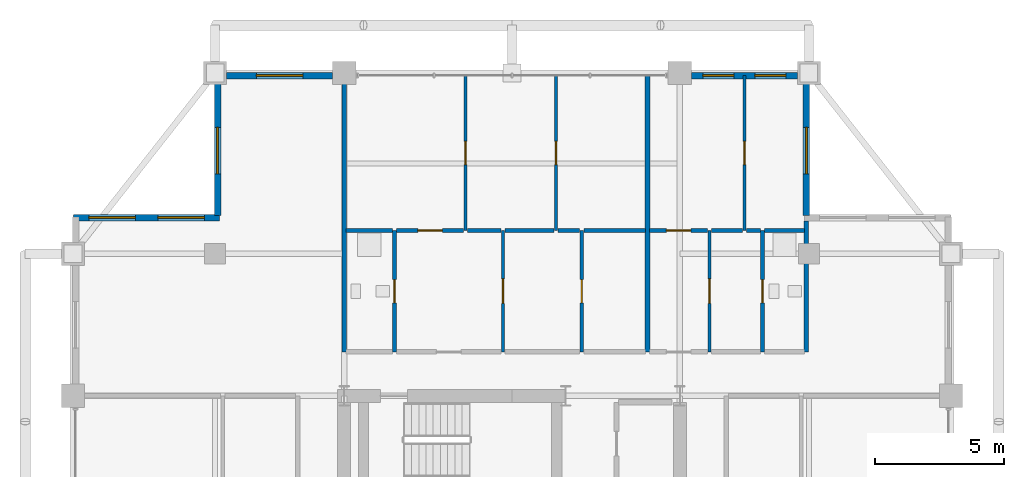
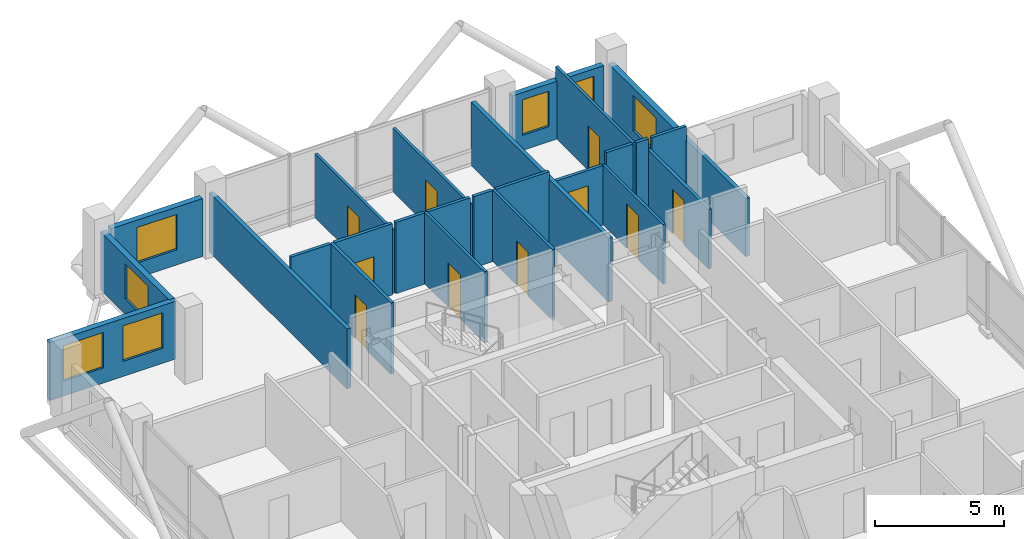
# One storey, part 22 of 25: 26 walls, 10 doors, 7 windows, 17 openings.
"""IFC4 building model written with IfcOpenShell, lengths in metres."""

from ifc_helpers import new_model, si_unit, direction, frame, frame_2d, origin, place, context, subcontext, project, spatial, rectangle, extrude, material, layer, layer_set, type_object, element, fill, save


model = new_model("IFC4")

# Units and contexts
model_context = context("Model", 3, precision=1e-05, world=origin(), true_north=direction((0.0, 1.0)))
body_context = subcontext(model_context, "Body", "Model", "MODEL_VIEW")
ifc_project = project(units=[si_unit("LENGTHUNIT", "METRE"), si_unit("AREAUNIT", "SQUARE_METRE"), si_unit("VOLUMEUNIT", "CUBIC_METRE"), si_unit("PLANEANGLEUNIT", "RADIAN"), si_unit("MASSUNIT", "GRAM", prefix="KILO")], contexts=[model_context])

# Site, building, storey
site_placement = place(None, origin())
site = spatial("IfcSite", under=ifc_project, at=site_placement, CompositionType="ELEMENT")
building_placement = place(site_placement, origin())
building = spatial("IfcBuilding", under=site, at=building_placement, Name="Barlavira Tower and Art Museum", CompositionType="ELEMENT")
storey_placement = place(building_placement, frame((0.0, 0.0, 229.5)))
storey = spatial("IfcBuildingStorey", under=building, at=storey_placement, Name="L59", CompositionType="ELEMENT", Elevation=229.5)

# Wall, opening, door
ifc_material_1 = material(Name="Gypsum acoustic stud partition", Category="gypsum")
ifc_layer_1 = layer(ifc_material_1, 0.1201171875, Name="Gypsum acoustic stud partition")
ifc_layer_set_1 = layer_set([ifc_layer_1], Name="Gypsum acoustic stud partition")
wall_type_1 = type_object("IfcWallType", Name="Apartment Internal Acoustic Partition 120", PredefinedType="PARTITIONING", material=ifc_layer_set_1)
wall_1_placement = place(storey_placement, frame((-1.800048828125, 13.89990234375, 0.0), z_axis=(0.0, 0.0, 1.0), x_axis=(0.0, 1.0, 0.0)))
wall_1 = element("IfcWall", 1, at=wall_1_placement, inside=storey, type_object=wall_type_1, Name="L59 Partition Wall 10", PredefinedType="PARTITIONING", context=body_context, shape_type="SweptSolid", body=[
    extrude(rectangle(XDim=6.0, YDim=0.1201171875, at=frame_2d((3.0, 0.0))), origin(), (0.0, 0.0, 1.0), 3.01806640625),
])
opening_1_placement = place(wall_1_placement, frame((2.550048828125, 0.0, 0.0)))
opening_1 = element("IfcOpeningElement", 2, at=opening_1_placement, cuts=wall_1, Name="Opening D-01", PredefinedType="OPENING", context=body_context, shape_type="SweptSolid", body=[
    extrude(rectangle(XDim=0.89990234375, YDim=2.10009765625, at=frame_2d((0.449951171875, 1.050048828125))), frame((0.0, 0.070068359375, 0.0), z_axis=(0.0, -1.0, 0.0), x_axis=(1.0, 0.0, 0.0)), (0.0, 0.0, 1.0), 0.14013671875),
])
ifc_material_2 = material(Name="Engineered coastal hardwood", Category="wood")
door_type_1 = type_object("IfcDoorType", Name="Internal Bedroom Timber Flush Door 900x2100", OperationType="NOTDEFINED", PredefinedType="DOOR", material=ifc_material_2)
door_1_placement = place(opening_1_placement, origin())
door_1 = element("IfcDoor", 3, at=door_1_placement, inside=storey, type_object=door_type_1, Name="Apartment N1 Bedroom 1 Door", OperationType="SINGLE_SWING_RIGHT", OverallHeight=2.10009765625, OverallWidth=0.89990234375, PredefinedType="DOOR", context=body_context, shape_type="SweptSolid", body=[
    extrude(rectangle(XDim=0.89990234375, YDim=2.10009765625, at=frame_2d((0.449951171875, 1.050048828125))), frame((0.0, 0.02490234375, 0.0), z_axis=(0.0, -1.0, 0.0), x_axis=(1.0, 0.0, 0.0)), (0.0, 0.0, 1.0), 0.050048828125),
])
fill(opening_1, door_1)

wall_2_placement = place(storey_placement, frame((-0.35009765625, 9.199951171875, 0.0), z_axis=(0.0, 0.0, 1.0), x_axis=(0.0, 1.0, 0.0)))
wall_2 = element("IfcWall", 4, at=wall_2_placement, inside=storey, type_object=wall_type_1, Name="L59 Partition Wall 12", PredefinedType="PARTITIONING", context=body_context, shape_type="SweptSolid", body=[
    extrude(rectangle(XDim=4.699951171875, YDim=0.1201171875, at=frame_2d((2.35009765625, 0.0))), origin(), (0.0, 0.0, 1.0), 3.3798828125),
])
opening_2_placement = place(wall_2_placement, frame((1.875, 0.0, 0.0)))
opening_2 = element("IfcOpeningElement", 5, at=opening_2_placement, cuts=wall_2, Name="Opening D-02", PredefinedType="OPENING", context=body_context, shape_type="SweptSolid", body=[
    extrude(rectangle(XDim=0.949951171875, YDim=2.10009765625, at=frame_2d((0.47509765625, 1.050048828125))), frame((0.0, 0.070068359375, 0.0), z_axis=(0.0, -1.0, 0.0), x_axis=(1.0, 0.0, 0.0)), (0.0, 0.0, 1.0), 0.14013671875),
])
door_type_2 = type_object("IfcDoorType", Name="Living and Salon Glazed-Leaf Door 950x2100", OperationType="NOTDEFINED", PredefinedType="DOOR", material=ifc_material_2)
door_2_placement = place(opening_2_placement, origin())
door_2 = element("IfcDoor", 6, at=door_2_placement, inside=storey, type_object=door_type_2, Name="Apartment N1 Kitchen Door", OperationType="SINGLE_SWING_LEFT", OverallHeight=2.10009765625, OverallWidth=0.949951171875, PredefinedType="DOOR", context=body_context, shape_type="SweptSolid", body=[
    extrude(rectangle(XDim=0.949951171875, YDim=2.10009765625, at=frame_2d((0.47509765625, 1.050048828125))), frame((0.0, 0.02490234375, 0.0), z_axis=(0.0, -1.0, 0.0), x_axis=(1.0, 0.0, 0.0)), (0.0, 0.0, 1.0), 0.050048828125),
])
fill(opening_2, door_2)

wall_3_placement = place(storey_placement, frame((1.699951171875, 13.89990234375, 0.0), z_axis=(0.0, 0.0, 1.0), x_axis=(0.0, 1.0, 0.0)))
wall_3 = element("IfcWall", 7, at=wall_3_placement, inside=storey, type_object=wall_type_1, Name="L59 Partition Wall 14", PredefinedType="PARTITIONING", context=body_context, shape_type="SweptSolid", body=[
    extrude(rectangle(XDim=6.0, YDim=0.1201171875, at=frame_2d((3.0, 0.0))), origin(), (0.0, 0.0, 1.0), 3.01806640625),
])
opening_3_placement = place(wall_3_placement, frame((2.550048828125, 0.0, 0.0)))
opening_3 = element("IfcOpeningElement", 8, at=opening_3_placement, cuts=wall_3, Name="Opening D-01", PredefinedType="OPENING", context=body_context, shape_type="SweptSolid", body=[
    extrude(rectangle(XDim=0.89990234375, YDim=2.10009765625, at=frame_2d((0.449951171875, 1.050048828125))), frame((0.0, 0.070068359375, 0.0), z_axis=(0.0, -1.0, 0.0), x_axis=(1.0, 0.0, 0.0)), (0.0, 0.0, 1.0), 0.14013671875),
])
door_3_placement = place(opening_3_placement, origin())
door_3 = element("IfcDoor", 9, at=door_3_placement, inside=storey, type_object=door_type_1, Name="Apartment N1 Bedroom 2 Door", OperationType="SINGLE_SWING_LEFT", OverallHeight=2.10009765625, OverallWidth=0.89990234375, PredefinedType="DOOR", context=body_context, shape_type="SweptSolid", body=[
    extrude(rectangle(XDim=0.89990234375, YDim=2.10009765625, at=frame_2d((0.449951171875, 1.050048828125))), frame((0.0, 0.02490234375, 0.0), z_axis=(0.0, -1.0, 0.0), x_axis=(1.0, 0.0, 0.0)), (0.0, 0.0, 1.0), 0.050048828125),
])
fill(opening_3, door_3)

wall_4_placement = place(storey_placement, frame((2.699951171875, 9.199951171875, 0.0), z_axis=(0.0, 0.0, 1.0), x_axis=(0.0, 1.0, 0.0)))
wall_4 = element("IfcWall", 10, at=wall_4_placement, inside=storey, type_object=wall_type_1, Name="L59 Partition Wall 16", PredefinedType="PARTITIONING", context=body_context, shape_type="SweptSolid", body=[
    extrude(rectangle(XDim=4.699951171875, YDim=0.1201171875, at=frame_2d((2.35009765625, 0.0))), origin(), (0.0, 0.0, 1.0), 3.3798828125),
])
opening_4_placement = place(wall_4_placement, frame((1.89990234375, 0.0, 0.0)))
opening_4 = element("IfcOpeningElement", 11, at=opening_4_placement, cuts=wall_4, Name="Opening D-01", PredefinedType="OPENING", context=body_context, shape_type="SweptSolid", body=[
    extrude(rectangle(XDim=0.89990234375, YDim=2.10009765625, at=frame_2d((0.449951171875, 1.050048828125))), frame((0.0, 0.070068359375, 0.0), z_axis=(0.0, -1.0, 0.0), x_axis=(1.0, 0.0, 0.0)), (0.0, 0.0, 1.0), 0.14013671875),
])
door_4_placement = place(opening_4_placement, origin())
door_4 = element("IfcDoor", 12, at=door_4_placement, inside=storey, type_object=door_type_1, Name="Apartment N1 Walk-In Dressing Room Door", OperationType="SINGLE_SWING_RIGHT", OverallHeight=2.10009765625, OverallWidth=0.89990234375, PredefinedType="DOOR", context=body_context, shape_type="SweptSolid", body=[
    extrude(rectangle(XDim=0.89990234375, YDim=2.10009765625, at=frame_2d((0.449951171875, 1.050048828125))), frame((0.0, 0.02490234375, 0.0), z_axis=(0.0, -1.0, 0.0), x_axis=(1.0, 0.0, 0.0)), (0.0, 0.0, 1.0), 0.050048828125),
])
fill(opening_4, door_4)

wall_5_placement = place(storey_placement, frame((7.64990234375, 9.199951171875, 0.0), z_axis=(0.0, 0.0, 1.0), x_axis=(0.0, 1.0, 0.0)))
wall_5 = element("IfcWall", 13, at=wall_5_placement, inside=storey, type_object=wall_type_1, Name="L59 Partition Wall 22", PredefinedType="PARTITIONING", context=body_context, shape_type="SweptSolid", body=[
    extrude(rectangle(XDim=4.699951171875, YDim=0.1201171875, at=frame_2d((2.35009765625, 0.0))), origin(), (0.0, 0.0, 1.0), 2.825927734375),
])
opening_5_placement = place(wall_5_placement, frame((1.875, 0.0, 0.0)))
opening_5 = element("IfcOpeningElement", 14, at=opening_5_placement, cuts=wall_5, Name="Opening D-02", PredefinedType="OPENING", context=body_context, shape_type="SweptSolid", body=[
    extrude(rectangle(XDim=0.949951171875, YDim=2.10009765625, at=frame_2d((0.47509765625, 1.050048828125))), frame((0.0, 0.070068359375, 0.0), z_axis=(0.0, -1.0, 0.0), x_axis=(1.0, 0.0, 0.0)), (0.0, 0.0, 1.0), 0.14013671875),
])
door_5_placement = place(opening_5_placement, origin())
door_5 = element("IfcDoor", 15, at=door_5_placement, inside=storey, type_object=door_type_2, Name="Apartment N2 Kitchen Door", OperationType="SINGLE_SWING_LEFT", OverallHeight=2.10009765625, OverallWidth=0.949951171875, PredefinedType="DOOR", context=body_context, shape_type="SweptSolid", body=[
    extrude(rectangle(XDim=0.949951171875, YDim=2.10009765625, at=frame_2d((0.47509765625, 1.050048828125))), frame((0.0, 0.02490234375, 0.0), z_axis=(0.0, -1.0, 0.0), x_axis=(1.0, 0.0, 0.0)), (0.0, 0.0, 1.0), 0.050048828125),
])
fill(opening_5, door_5)

wall_6_placement = place(storey_placement, frame((9.0, 13.89990234375, 0.0), z_axis=(0.0, 0.0, 1.0), x_axis=(0.0, 1.0, 0.0)))
wall_6 = element("IfcWall", 16, at=wall_6_placement, inside=storey, type_object=wall_type_1, Name="L59 Partition Wall 25", PredefinedType="PARTITIONING", context=body_context, shape_type="SweptSolid", body=[
    extrude(rectangle(XDim=6.0, YDim=0.1201171875, at=frame_2d((3.0, 0.0))), origin(), (0.0, 0.0, 1.0), 3.3798828125),
])
opening_6_placement = place(wall_6_placement, frame((2.550048828125, 0.0, 0.0)))
opening_6 = element("IfcOpeningElement", 17, at=opening_6_placement, cuts=wall_6, Name="Opening D-01", PredefinedType="OPENING", context=body_context, shape_type="SweptSolid", body=[
    extrude(rectangle(XDim=0.89990234375, YDim=2.10009765625, at=frame_2d((0.449951171875, 1.050048828125))), frame((0.0, 0.070068359375, 0.0), z_axis=(0.0, -1.0, 0.0), x_axis=(1.0, 0.0, 0.0)), (0.0, 0.0, 1.0), 0.14013671875),
])
door_6_placement = place(opening_6_placement, origin())
door_6 = element("IfcDoor", 18, at=door_6_placement, inside=storey, type_object=door_type_1, Name="Apartment N2 Bedroom 1 Door", OperationType="SINGLE_SWING_RIGHT", OverallHeight=2.10009765625, OverallWidth=0.89990234375, PredefinedType="DOOR", context=body_context, shape_type="SweptSolid", body=[
    extrude(rectangle(XDim=0.89990234375, YDim=2.10009765625, at=frame_2d((0.449951171875, 1.050048828125))), frame((0.0, 0.02490234375, 0.0), z_axis=(0.0, -1.0, 0.0), x_axis=(1.0, 0.0, 0.0)), (0.0, 0.0, 1.0), 0.050048828125),
])
fill(opening_6, door_6)

# Walls
ifc_layer_2 = layer(ifc_material_1, 0.179931640625, Name="Gypsum acoustic stud partition")
ifc_layer_set_2 = layer_set([ifc_layer_2], Name="Gypsum acoustic stud partition")
wall_type_2 = type_object("IfcWallType", Name="Inter-Tenancy Party Partition Wall 180", PredefinedType="PARTITIONING", material=ifc_layer_set_2)
wall_7_placement = place(storey_placement, frame((-6.5, 9.199951171875, 0.0), z_axis=(0.0, 0.0, 1.0), x_axis=(0.0, 1.0, 0.0)))
element("IfcWall", 19, at=wall_7_placement, inside=storey, type_object=wall_type_2, Name="L59 Partition Wall 4", PredefinedType="PARTITIONING", context=body_context, shape_type="SweptSolid", body=[
    extrude(rectangle(XDim=10.699951171875, YDim=0.179931640625, at=frame_2d((5.35009765625, 0.0))), origin(), (0.0, 0.0, 1.0), 2.825927734375),
])
wall_8_placement = place(storey_placement, frame((5.25, 9.199951171875, 0.0), z_axis=(0.0, 0.0, 1.0), x_axis=(0.0, 1.0, 0.0)))
element("IfcWall", 20, at=wall_8_placement, inside=storey, type_object=wall_type_2, Name="L59 Partition Wall 20", PredefinedType="PARTITIONING", context=body_context, shape_type="SweptSolid", body=[
    extrude(rectangle(XDim=10.699951171875, YDim=0.179931640625, at=frame_2d((5.35009765625, 0.0))), origin(), (0.0, 0.0, 1.0), 3.01806640625),
])
wall_9_placement = place(storey_placement, frame((11.39990234375, 9.199951171875, 0.0), z_axis=(0.0, 0.0, 1.0), x_axis=(0.0, 1.0, 0.0)))
element("IfcWall", 21, at=wall_9_placement, inside=storey, type_object=wall_type_2, Name="L59 Partition Wall 29", PredefinedType="PARTITIONING", context=body_context, shape_type="SweptSolid", body=[
    extrude(rectangle(XDim=5.070068359375, YDim=0.179931640625, at=frame_2d((2.53515625, 0.0))), origin(), (0.0, 0.0, 1.0), 2.748046875),
])

# Wall, opening, door
ifc_layer_3 = layer(ifc_material_1, 0.139892578125, Name="Gypsum acoustic stud partition")
ifc_layer_set_3 = layer_set([ifc_layer_3], Name="Gypsum acoustic stud partition")
wall_type_3 = type_object("IfcWallType", Name="Moisture-Resistant Bathroom Partition 140", PredefinedType="PARTITIONING", material=ifc_layer_set_3)
wall_10_placement = place(storey_placement, frame((-4.550048828125, 9.199951171875, 0.0), z_axis=(0.0, 0.0, 1.0), x_axis=(0.0, 1.0, 0.0)))
wall_10 = element("IfcWall", 22, at=wall_10_placement, inside=storey, type_object=wall_type_3, Name="L59 Partition Wall 7", PredefinedType="PARTITIONING", context=body_context, shape_type="SweptSolid", body=[
    extrude(rectangle(XDim=4.699951171875, YDim=0.139892578125, at=frame_2d((2.35009765625, 0.0))), origin(), (0.0, 0.0, 1.0), 3.3798828125),
])
opening_7_placement = place(wall_10_placement, frame((1.89990234375, 0.0, 0.0)))
opening_7 = element("IfcOpeningElement", 23, at=opening_7_placement, cuts=wall_10, Name="Opening D-WC", PredefinedType="OPENING", context=body_context, shape_type="SweptSolid", body=[
    extrude(rectangle(XDim=0.89990234375, YDim=2.10009765625, at=frame_2d((0.449951171875, 1.050048828125))), frame((0.0, 0.080078125, 0.0), z_axis=(0.0, -1.0, 0.0), x_axis=(1.0, 0.0, 0.0)), (0.0, 0.0, 1.0), 0.159912109375),
])
door_type_3 = type_object("IfcDoorType", Name="Accessible Bathroom Flush Door 900x2100", OperationType="NOTDEFINED", PredefinedType="DOOR", material=ifc_material_2)
door_7_placement = place(opening_7_placement, origin())
door_7 = element("IfcDoor", 24, at=door_7_placement, inside=storey, type_object=door_type_3, Name="Apartment N1 Hall Bathroom Door", OperationType="SINGLE_SWING_LEFT", OverallHeight=2.10009765625, OverallWidth=0.89990234375, PredefinedType="DOOR", context=body_context, shape_type="SweptSolid", body=[
    extrude(rectangle(XDim=0.89990234375, YDim=2.10009765625, at=frame_2d((0.449951171875, 1.050048828125))), frame((0.0, 0.02490234375, 0.0), z_axis=(0.0, -1.0, 0.0), x_axis=(1.0, 0.0, 0.0)), (0.0, 0.0, 1.0), 0.050048828125),
])
fill(opening_7, door_7)

wall_11_placement = place(storey_placement, frame((9.699951171875, 9.199951171875, 0.0), z_axis=(0.0, 0.0, 1.0), x_axis=(0.0, 1.0, 0.0)))
wall_11 = element("IfcWall", 25, at=wall_11_placement, inside=storey, type_object=wall_type_3, Name="L59 Partition Wall 26", PredefinedType="PARTITIONING", context=body_context, shape_type="SweptSolid", body=[
    extrude(rectangle(XDim=4.699951171875, YDim=0.139892578125, at=frame_2d((2.35009765625, 0.0))), origin(), (0.0, 0.0, 1.0), 2.825927734375),
])
opening_8_placement = place(wall_11_placement, frame((1.89990234375, 0.0, 0.0)))
opening_8 = element("IfcOpeningElement", 26, at=opening_8_placement, cuts=wall_11, Name="Opening D-WC", PredefinedType="OPENING", context=body_context, shape_type="SweptSolid", body=[
    extrude(rectangle(XDim=0.89990234375, YDim=2.10009765625, at=frame_2d((0.449951171875, 1.050048828125))), frame((0.0, 0.080078125, 0.0), z_axis=(0.0, -1.0, 0.0), x_axis=(1.0, 0.0, 0.0)), (0.0, 0.0, 1.0), 0.159912109375),
])
door_8_placement = place(opening_8_placement, origin())
door_8 = element("IfcDoor", 27, at=door_8_placement, inside=storey, type_object=door_type_3, Name="Apartment N2 Hall Bathroom Door", OperationType="SINGLE_SWING_RIGHT", OverallHeight=2.10009765625, OverallWidth=0.89990234375, PredefinedType="DOOR", context=body_context, shape_type="SweptSolid", body=[
    extrude(rectangle(XDim=0.89990234375, YDim=2.10009765625, at=frame_2d((0.449951171875, 1.050048828125))), frame((0.0, 0.02490234375, 0.0), z_axis=(0.0, -1.0, 0.0), x_axis=(1.0, 0.0, 0.0)), (0.0, 0.0, 1.0), 0.050048828125),
])
fill(opening_8, door_8)

# Wall
wall_12_placement = place(storey_placement, frame((-6.419921875, 13.89990234375, 0.0), z_axis=(0.0, 0.0, 1.0), x_axis=(1.0, 0.0, 0.0)))
element("IfcWall", 28, at=wall_12_placement, inside=storey, type_object=wall_type_3, Name="L59 Partition Wall 74", PredefinedType="PARTITIONING", context=body_context, shape_type="SweptSolid", body=[
    extrude(rectangle(XDim=1.7900390625, YDim=0.139892578125, at=frame_2d((0.89501953125, 0.0))), origin(), (0.0, 0.0, 1.0), 3.3798828125),
])

# Wall, opening, door
wall_13_placement = place(storey_placement, frame((-4.469970703125, 13.89990234375, 0.0), z_axis=(0.0, 0.0, 1.0), x_axis=(1.0, 0.0, 0.0)))
wall_13 = element("IfcWall", 29, at=wall_13_placement, inside=storey, type_object=wall_type_3, Name="L59 Partition Wall 75", PredefinedType="PARTITIONING", context=body_context, shape_type="SweptSolid", body=[
    extrude(rectangle(XDim=2.590087890625, YDim=0.139892578125, at=frame_2d((1.294921875, 0.0))), origin(), (0.0, 0.0, 1.0), 3.3798828125),
])
opening_9_placement = place(wall_13_placement, frame((0.824951171875, 0.0, 0.0)))
opening_9 = element("IfcOpeningElement", 30, at=opening_9_placement, cuts=wall_13, Name="Opening D-02", PredefinedType="OPENING", context=body_context, shape_type="SweptSolid", body=[
    extrude(rectangle(XDim=0.949951171875, YDim=2.10009765625, at=frame_2d((0.47509765625, 1.050048828125))), frame((0.0, 0.080078125, 0.0), z_axis=(0.0, -1.0, 0.0), x_axis=(1.0, 0.0, 0.0)), (0.0, 0.0, 1.0), 0.159912109375),
])
door_9_placement = place(opening_9_placement, origin())
door_9 = element("IfcDoor", 31, at=door_9_placement, inside=storey, type_object=door_type_2, Name="Apartment N1 Living Lounge Door", OperationType="SINGLE_SWING_LEFT", OverallHeight=2.10009765625, OverallWidth=0.949951171875, PredefinedType="DOOR", context=body_context, shape_type="SweptSolid", body=[
    extrude(rectangle(XDim=0.949951171875, YDim=2.10009765625, at=frame_2d((0.47509765625, 1.050048828125))), frame((0.0, 0.02490234375, 0.0), z_axis=(0.0, -1.0, 0.0), x_axis=(1.0, 0.0, 0.0)), (0.0, 0.0, 1.0), 0.050048828125),
])
fill(opening_9, door_9)

# Walls
wall_14_placement = place(storey_placement, frame((-1.719970703125, 13.89990234375, 0.0), z_axis=(0.0, 0.0, 1.0), x_axis=(1.0, 0.0, 0.0)))
element("IfcWall", 32, at=wall_14_placement, inside=storey, type_object=wall_type_3, Name="L59 Partition Wall 76", PredefinedType="PARTITIONING", context=body_context, shape_type="SweptSolid", body=[
    extrude(rectangle(XDim=1.2900390625, YDim=0.139892578125, at=frame_2d((0.64501953125, 0.0))), origin(), (0.0, 0.0, 1.0), 3.3798828125),
])
wall_15_placement = place(storey_placement, frame((-0.27001953125, 13.89990234375, 0.0), z_axis=(0.0, 0.0, 1.0), x_axis=(1.0, 0.0, 0.0)))
element("IfcWall", 33, at=wall_15_placement, inside=storey, type_object=wall_type_3, Name="L59 Partition Wall 77", PredefinedType="PARTITIONING", context=body_context, shape_type="SweptSolid", body=[
    extrude(rectangle(XDim=1.89013671875, YDim=0.139892578125, at=frame_2d((0.945068359375, 0.0))), origin(), (0.0, 0.0, 1.0), 3.3798828125),
])
wall_16_placement = place(storey_placement, frame((1.780029296875, 13.89990234375, 0.0), z_axis=(0.0, 0.0, 1.0), x_axis=(1.0, 0.0, 0.0)))
element("IfcWall", 34, at=wall_16_placement, inside=storey, type_object=wall_type_3, Name="L59 Partition Wall 78", PredefinedType="PARTITIONING", context=body_context, shape_type="SweptSolid", body=[
    extrude(rectangle(XDim=0.840087890625, YDim=0.139892578125, at=frame_2d((0.419921875, 0.0))), origin(), (0.0, 0.0, 1.0), 3.3798828125),
])
wall_17_placement = place(storey_placement, frame((2.780029296875, 13.89990234375, 0.0), z_axis=(0.0, 0.0, 1.0), x_axis=(1.0, 0.0, 0.0)))
element("IfcWall", 35, at=wall_17_placement, inside=storey, type_object=wall_type_3, Name="L59 Partition Wall 79", PredefinedType="PARTITIONING", context=body_context, shape_type="SweptSolid", body=[
    extrude(rectangle(XDim=2.389892578125, YDim=0.139892578125, at=frame_2d((1.19482421875, 0.0))), origin(), (0.0, 0.0, 1.0), 3.3798828125),
])

# Wall, opening, door
wall_18_placement = place(storey_placement, frame((5.330078125, 13.89990234375, 0.0), z_axis=(0.0, 0.0, 1.0), x_axis=(1.0, 0.0, 0.0)))
wall_18 = element("IfcWall", 36, at=wall_18_placement, inside=storey, type_object=wall_type_3, Name="L59 Partition Wall 80", PredefinedType="PARTITIONING", context=body_context, shape_type="SweptSolid", body=[
    extrude(rectangle(XDim=2.239990234375, YDim=0.139892578125, at=frame_2d((1.1201171875, 0.0))), origin(), (0.0, 0.0, 1.0), 2.825927734375),
])
opening_10_placement = place(wall_18_placement, frame((0.64501953125, 0.0, 0.0)))
opening_10 = element("IfcOpeningElement", 37, at=opening_10_placement, cuts=wall_18, Name="Opening D-02", PredefinedType="OPENING", context=body_context, shape_type="SweptSolid", body=[
    extrude(rectangle(XDim=0.949951171875, YDim=2.10009765625, at=frame_2d((0.47509765625, 1.050048828125))), frame((0.0, 0.080078125, 0.0), z_axis=(0.0, -1.0, 0.0), x_axis=(1.0, 0.0, 0.0)), (0.0, 0.0, 1.0), 0.159912109375),
])
door_10_placement = place(opening_10_placement, origin())
door_10 = element("IfcDoor", 38, at=door_10_placement, inside=storey, type_object=door_type_2, Name="Apartment N2 Living Lounge Door", OperationType="SINGLE_SWING_LEFT", OverallHeight=2.10009765625, OverallWidth=0.949951171875, PredefinedType="DOOR", context=body_context, shape_type="SweptSolid", body=[
    extrude(rectangle(XDim=0.949951171875, YDim=2.10009765625, at=frame_2d((0.47509765625, 1.050048828125))), frame((0.0, 0.02490234375, 0.0), z_axis=(0.0, -1.0, 0.0), x_axis=(1.0, 0.0, 0.0)), (0.0, 0.0, 1.0), 0.050048828125),
])
fill(opening_10, door_10)

# Walls
wall_19_placement = place(storey_placement, frame((7.72998046875, 13.89990234375, 0.0), z_axis=(0.0, 0.0, 1.0), x_axis=(1.0, 0.0, 0.0)))
element("IfcWall", 39, at=wall_19_placement, inside=storey, type_object=wall_type_3, Name="L59 Partition Wall 81", PredefinedType="PARTITIONING", context=body_context, shape_type="SweptSolid", body=[
    extrude(rectangle(XDim=1.18994140625, YDim=0.139892578125, at=frame_2d((0.594970703125, 0.0))), origin(), (0.0, 0.0, 1.0), 3.3798828125),
])
wall_20_placement = place(storey_placement, frame((9.080078125, 13.89990234375, 0.0), z_axis=(0.0, 0.0, 1.0), x_axis=(1.0, 0.0, 0.0)))
element("IfcWall", 40, at=wall_20_placement, inside=storey, type_object=wall_type_3, Name="L59 Partition Wall 82", PredefinedType="PARTITIONING", context=body_context, shape_type="SweptSolid", body=[
    extrude(rectangle(XDim=0.5400390625, YDim=0.139892578125, at=frame_2d((0.27001953125, 0.0))), origin(), (0.0, 0.0, 1.0), 3.3798828125),
])
wall_21_placement = place(storey_placement, frame((9.780029296875, 13.89990234375, 0.0), z_axis=(0.0, 0.0, 1.0), x_axis=(1.0, 0.0, 0.0)))
element("IfcWall", 41, at=wall_21_placement, inside=storey, type_object=wall_type_3, Name="L59 Partition Wall 83", PredefinedType="PARTITIONING", context=body_context, shape_type="SweptSolid", body=[
    extrude(rectangle(XDim=1.5400390625, YDim=0.139892578125, at=frame_2d((0.77001953125, 0.0))), origin(), (0.0, 0.0, 1.0), 3.3798828125),
])

# Wall, openings, windows
ifc_material_3 = material(Name="Precast concrete C40", Category="concrete")
ifc_layer_4 = layer(ifc_material_3, 0.25, Name="Precast concrete C40")
ifc_layer_set_4 = layer_set([ifc_layer_4], Name="Precast concrete C40")
wall_type_4 = type_object("IfcWallType", Name="Notched Corner Spandrel Wall 250 Precast Concrete C40", PredefinedType="SOLIDWALL", material=ifc_layer_set_4)
wall_22_placement = place(storey_placement, frame((11.054931640625, 19.89990234375, 0.0), z_axis=(0.0, 0.0, 1.0), x_axis=(-1.0, 0.0, 0.0)))
wall_22 = element("IfcWall", 42, at=wall_22_placement, inside=storey, type_object=wall_type_4, Name="L59 Coastal Facade Pier Wall CW4-L59-N-1", PredefinedType="SOLIDWALL", context=body_context, shape_type="SweptSolid", body=[
    extrude(rectangle(XDim=4.10986328125, YDim=0.25, at=frame_2d((2.054931640625, 0.0))), origin(), (0.0, 0.0, 1.0), 2.748046875),
])
opening_11_placement = place(wall_22_placement, frame((0.449951171875, 0.0, 0.719970703125)))
opening_11 = element("IfcOpeningElement", 43, at=opening_11_placement, cuts=wall_22, Name="Opening WN-05", PredefinedType="OPENING", context=body_context, shape_type="SweptSolid", body=[
    extrude(rectangle(XDim=1.199951171875, YDim=1.679931640625, at=frame_2d((0.60009765625, 0.83984375))), frame((0.0, 0.135009765625, 0.0), z_axis=(0.0, -1.0, 0.0), x_axis=(1.0, 0.0, 0.0)), (0.0, 0.0, 1.0), 0.27001953125),
])
opening_12_placement = place(wall_22_placement, frame((2.4599609375, 0.0, 0.719970703125)))
opening_12 = element("IfcOpeningElement", 44, at=opening_12_placement, cuts=wall_22, Name="Opening WN-05", PredefinedType="OPENING", context=body_context, shape_type="SweptSolid", body=[
    extrude(rectangle(XDim=1.199951171875, YDim=1.679931640625, at=frame_2d((0.60009765625, 0.83984375))), frame((0.0, 0.135009765625, 0.0), z_axis=(0.0, -1.0, 0.0), x_axis=(1.0, 0.0, 0.0)), (0.0, 0.0, 1.0), 0.27001953125),
])
ifc_material_4 = material(Name="Low-iron coastal laminated glass", Category="glass")
window_type_1 = type_object("IfcWindowType", Name="Recessed Flank Pier Punch Window 1200x1680", PartitioningType="SINGLE_PANEL", PredefinedType="WINDOW", material=ifc_material_4)
window_1_placement = place(opening_11_placement, origin())
window_1 = element("IfcWindow", 45, at=window_1_placement, inside=storey, type_object=window_type_1, Name="L59 Punched Facade Window EWP-CW4-L59-N-1-1", OverallHeight=1.679931640625, OverallWidth=1.199951171875, PartitioningType="SINGLE_PANEL", PredefinedType="WINDOW", context=body_context, shape_type="SweptSolid", body=[
    extrude(rectangle(XDim=1.199951171875, YDim=1.679931640625, at=frame_2d((0.60009765625, 0.83984375))), frame((0.0, 0.030029296875, 0.0), z_axis=(0.0, -1.0, 0.0), x_axis=(1.0, 0.0, 0.0)), (0.0, 0.0, 1.0), 0.06005859375),
])
fill(opening_11, window_1)
window_2_placement = place(opening_12_placement, origin())
window_2 = element("IfcWindow", 46, at=window_2_placement, inside=storey, type_object=window_type_1, Name="L59 Punched Facade Window EWP-CW4-L59-N-1-2", OverallHeight=1.679931640625, OverallWidth=1.199951171875, PartitioningType="SINGLE_PANEL", PredefinedType="WINDOW", context=body_context, shape_type="SweptSolid", body=[
    extrude(rectangle(XDim=1.199951171875, YDim=1.679931640625, at=frame_2d((0.60009765625, 0.83984375))), frame((0.0, 0.030029296875, 0.0), z_axis=(0.0, -1.0, 0.0), x_axis=(1.0, 0.0, 0.0)), (0.0, 0.0, 1.0), 0.06005859375),
])
fill(opening_12, window_2)

# Wall, opening, window
wall_23_placement = place(storey_placement, frame((-6.945068359375, 19.89990234375, 0.0), z_axis=(0.0, 0.0, 1.0), x_axis=(-1.0, 0.0, 0.0)))
wall_23 = element("IfcWall", 47, at=wall_23_placement, inside=storey, type_object=wall_type_4, Name="L59 Coastal Facade Pier Wall CW4-L59-N-3", PredefinedType="SOLIDWALL", context=body_context, shape_type="SweptSolid", body=[
    extrude(rectangle(XDim=4.10986328125, YDim=0.25, at=frame_2d((2.054931640625, 0.0))), origin(), (0.0, 0.0, 1.0), 2.748046875),
])
opening_13_placement = place(wall_23_placement, frame((1.155029296875, 0.0, 0.719970703125)))
opening_13 = element("IfcOpeningElement", 48, at=opening_13_placement, cuts=wall_23, Name="Opening WN-01", PredefinedType="OPENING", context=body_context, shape_type="SweptSolid", body=[
    extrude(rectangle(XDim=1.800048828125, YDim=1.679931640625, at=frame_2d((0.89990234375, 0.83984375))), frame((0.0, 0.135009765625, 0.0), z_axis=(0.0, -1.0, 0.0), x_axis=(1.0, 0.0, 0.0)), (0.0, 0.0, 1.0), 0.27001953125),
])
window_type_2 = type_object("IfcWindowType", Name="Recessed Notch Corner Punch Window 1800x1680", PartitioningType="SINGLE_PANEL", PredefinedType="WINDOW", material=ifc_material_4)
window_3_placement = place(opening_13_placement, origin())
window_3 = element("IfcWindow", 49, at=window_3_placement, inside=storey, type_object=window_type_2, Name="L59 Punched Facade Window EWP-CW4-L59-N-3-1", OverallHeight=1.679931640625, OverallWidth=1.800048828125, PartitioningType="SINGLE_PANEL", PredefinedType="WINDOW", context=body_context, shape_type="SweptSolid", body=[
    extrude(rectangle(XDim=1.800048828125, YDim=1.679931640625, at=frame_2d((0.89990234375, 0.83984375))), frame((0.0, 0.030029296875, 0.0), z_axis=(0.0, -1.0, 0.0), x_axis=(1.0, 0.0, 0.0)), (0.0, 0.0, 1.0), 0.06005859375),
])
fill(opening_13, window_3)

wall_24_placement = place(storey_placement, frame((11.39990234375, 14.47998046875, 0.0), z_axis=(0.0, 0.0, 1.0), x_axis=(0.0, 1.0, 0.0)))
wall_24 = element("IfcWall", 50, at=wall_24_placement, inside=storey, type_object=wall_type_4, Name="L59 Notch Corner Wall NE2", PredefinedType="SOLIDWALL", context=body_context, shape_type="SweptSolid", body=[
    extrude(rectangle(XDim=5.340087890625, YDim=0.25, at=frame_2d((2.669921875, 0.0))), origin(), (0.0, 0.0, 1.0), 2.748046875),
])
opening_14_placement = place(wall_24_placement, frame((1.614990234375, 0.0, 0.719970703125)))
opening_14 = element("IfcOpeningElement", 51, at=opening_14_placement, cuts=wall_24, Name="Opening WN-01", PredefinedType="OPENING", context=body_context, shape_type="SweptSolid", body=[
    extrude(rectangle(XDim=1.800048828125, YDim=1.679931640625, at=frame_2d((0.89990234375, 0.83984375))), frame((0.0, 0.135009765625, 0.0), z_axis=(0.0, -1.0, 0.0), x_axis=(1.0, 0.0, 0.0)), (0.0, 0.0, 1.0), 0.27001953125),
])
window_4_placement = place(opening_14_placement, origin())
window_4 = element("IfcWindow", 52, at=window_4_placement, inside=storey, type_object=window_type_2, Name="L59 Punched Facade Window EW-NTC-L59-NE2-1", OverallHeight=1.679931640625, OverallWidth=1.800048828125, PartitioningType="SINGLE_PANEL", PredefinedType="WINDOW", context=body_context, shape_type="SweptSolid", body=[
    extrude(rectangle(XDim=1.800048828125, YDim=1.679931640625, at=frame_2d((0.89990234375, 0.83984375))), frame((0.0, 0.030029296875, 0.0), z_axis=(0.0, -1.0, 0.0), x_axis=(1.0, 0.0, 0.0)), (0.0, 0.0, 1.0), 0.06005859375),
])
fill(opening_14, window_4)

wall_25_placement = place(storey_placement, frame((-11.39990234375, 19.820068359375, 0.0), z_axis=(0.0, 0.0, 1.0), x_axis=(0.0, -1.0, 0.0)))
wall_25 = element("IfcWall", 53, at=wall_25_placement, inside=storey, type_object=wall_type_4, Name="L59 Notch Corner Wall NW1", PredefinedType="SOLIDWALL", context=body_context, shape_type="SweptSolid", body=[
    extrude(rectangle(XDim=5.340087890625, YDim=0.25, at=frame_2d((2.669921875, 0.0))), origin(), (0.0, 0.0, 1.0), 2.748046875),
])
opening_15_placement = place(wall_25_placement, frame((1.925048828125, 0.0, 0.719970703125)))
opening_15 = element("IfcOpeningElement", 54, at=opening_15_placement, cuts=wall_25, Name="Opening WN-01", PredefinedType="OPENING", context=body_context, shape_type="SweptSolid", body=[
    extrude(rectangle(XDim=1.800048828125, YDim=1.679931640625, at=frame_2d((0.89990234375, 0.83984375))), frame((0.0, 0.135009765625, 0.0), z_axis=(0.0, -1.0, 0.0), x_axis=(1.0, 0.0, 0.0)), (0.0, 0.0, 1.0), 0.27001953125),
])
window_5_placement = place(opening_15_placement, origin())
window_5 = element("IfcWindow", 55, at=window_5_placement, inside=storey, type_object=window_type_2, Name="L59 Punched Facade Window EW-NTC-L59-NW1-1", OverallHeight=1.679931640625, OverallWidth=1.800048828125, PartitioningType="SINGLE_PANEL", PredefinedType="WINDOW", context=body_context, shape_type="SweptSolid", body=[
    extrude(rectangle(XDim=1.800048828125, YDim=1.679931640625, at=frame_2d((0.89990234375, 0.83984375))), frame((0.0, 0.030029296875, 0.0), z_axis=(0.0, -1.0, 0.0), x_axis=(1.0, 0.0, 0.0)), (0.0, 0.0, 1.0), 0.06005859375),
])
fill(opening_15, window_5)

# Wall, openings, windows
wall_26_placement = place(storey_placement, frame((-11.320068359375, 14.39990234375, 0.0), z_axis=(0.0, 0.0, 1.0), x_axis=(-1.0, 0.0, 0.0)))
wall_26 = element("IfcWall", 56, at=wall_26_placement, inside=storey, type_object=wall_type_4, Name="L59 Notch Corner Wall NW2", PredefinedType="SOLIDWALL", context=body_context, shape_type="SweptSolid", body=[
    extrude(rectangle(XDim=5.659912109375, YDim=0.25, at=frame_2d((2.830078125, 0.0))), origin(), (0.0, 0.0, 1.0), 2.748046875),
])
opening_16_placement = place(wall_26_placement, frame((0.594970703125, 0.0, 0.719970703125)))
opening_16 = element("IfcOpeningElement", 57, at=opening_16_placement, cuts=wall_26, Name="Opening WN-01", PredefinedType="OPENING", context=body_context, shape_type="SweptSolid", body=[
    extrude(rectangle(XDim=1.800048828125, YDim=1.679931640625, at=frame_2d((0.89990234375, 0.83984375))), frame((0.0, 0.135009765625, 0.0), z_axis=(0.0, -1.0, 0.0), x_axis=(1.0, 0.0, 0.0)), (0.0, 0.0, 1.0), 0.27001953125),
])
opening_17_placement = place(wall_26_placement, frame((3.264892578125, 0.0, 0.719970703125)))
opening_17 = element("IfcOpeningElement", 58, at=opening_17_placement, cuts=wall_26, Name="Opening WN-01", PredefinedType="OPENING", context=body_context, shape_type="SweptSolid", body=[
    extrude(rectangle(XDim=1.800048828125, YDim=1.679931640625, at=frame_2d((0.89990234375, 0.83984375))), frame((0.0, 0.135009765625, 0.0), z_axis=(0.0, -1.0, 0.0), x_axis=(1.0, 0.0, 0.0)), (0.0, 0.0, 1.0), 0.27001953125),
])
window_6_placement = place(opening_16_placement, origin())
window_6 = element("IfcWindow", 59, at=window_6_placement, inside=storey, type_object=window_type_2, Name="L59 Punched Facade Window EW-NTC-L59-NW2-1", OverallHeight=1.679931640625, OverallWidth=1.800048828125, PartitioningType="SINGLE_PANEL", PredefinedType="WINDOW", context=body_context, shape_type="SweptSolid", body=[
    extrude(rectangle(XDim=1.800048828125, YDim=1.679931640625, at=frame_2d((0.89990234375, 0.83984375))), frame((0.0, 0.030029296875, 0.0), z_axis=(0.0, -1.0, 0.0), x_axis=(1.0, 0.0, 0.0)), (0.0, 0.0, 1.0), 0.06005859375),
])
fill(opening_16, window_6)
window_7_placement = place(opening_17_placement, origin())
window_7 = element("IfcWindow", 60, at=window_7_placement, inside=storey, type_object=window_type_2, Name="L59 Punched Facade Window EW-NTC-L59-NW2-2", OverallHeight=1.679931640625, OverallWidth=1.800048828125, PartitioningType="SINGLE_PANEL", PredefinedType="WINDOW", context=body_context, shape_type="SweptSolid", body=[
    extrude(rectangle(XDim=1.800048828125, YDim=1.679931640625, at=frame_2d((0.89990234375, 0.83984375))), frame((0.0, 0.030029296875, 0.0), z_axis=(0.0, -1.0, 0.0), x_axis=(1.0, 0.0, 0.0)), (0.0, 0.0, 1.0), 0.06005859375),
])
fill(opening_17, window_7)

save(model, "model.ifc")
